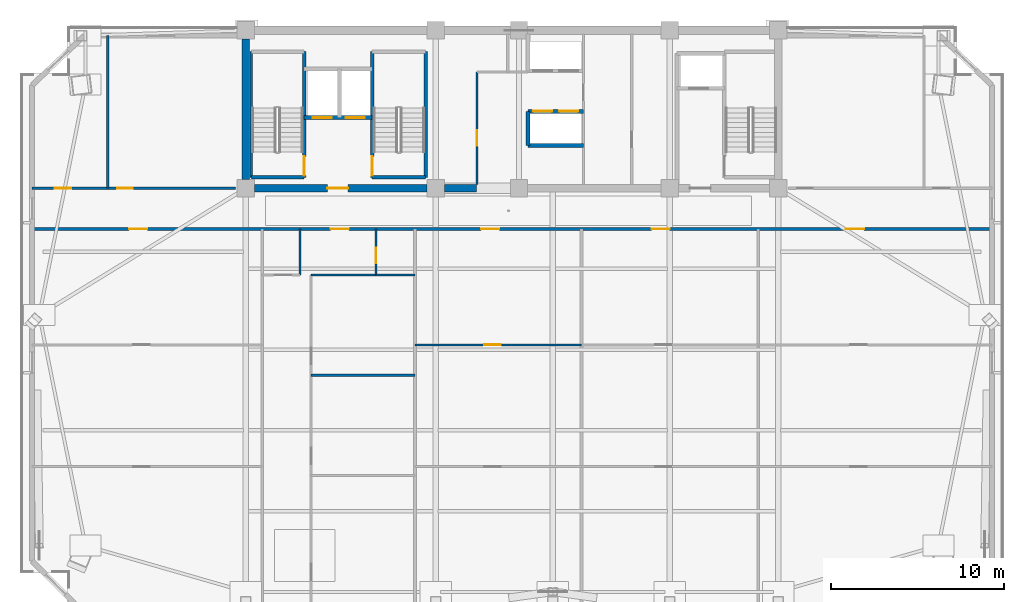
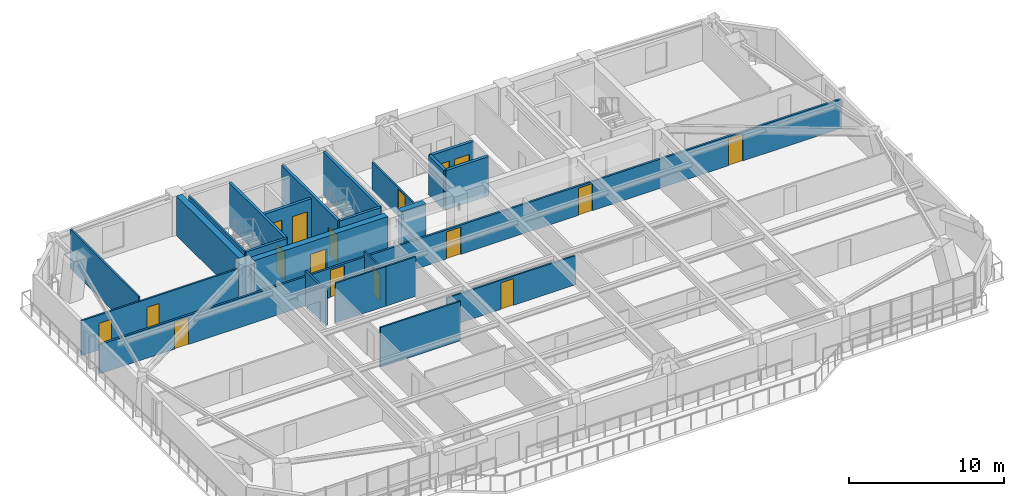
# One storey, part 9 of 16: 23 walls, 17 doors, 17 openings.
"""IFC4 building model written with IfcOpenShell, lengths in metres."""

import ifcopenshell
import ifcopenshell.guid

model = None  # the IFC model being written
_history = None  # IfcOwnerHistory: only IFC2X3 demands one
_inside = {}  # id of a spatial element -> (the spatial element, [elements in it])
_under = {}  # id of a project, library or spatial element -> (it, [spatial elements below it])
_declared = {}  # id of a project -> (the project, [libraries it declares])
_typed = {}  # id of a type object -> (the type object, [elements of that type])
_made_of = {}  # id of a material, layer set ... -> (it, [elements and type objects made of it])


def new_model(schema):
    """Start an empty IFC model of exactly this schema.

    Asked for "IFC4X3", IfcOpenShell would pick the latest addendum, in which some entities
    have other attributes; the version numbers below select the first issue.
    IFC2X3 requires an IfcOwnerHistory on every rooted entity: one is made here for all.
    """
    global model, _history
    if schema == "IFC4X3":
        model = ifcopenshell.file(schema_version=(4, 3, 0, 0))
    else:
        model = ifcopenshell.file(schema=schema)
    _inside.clear()
    _under.clear()
    _declared.clear()
    _typed.clear()
    _made_of.clear()
    _history = None
    if model.schema == "IFC2X3":
        org = make("IfcOrganization", Name="unknown")
        user = make(
            "IfcPersonAndOrganization",
            ThePerson=make("IfcPerson", FamilyName="unknown"),
            TheOrganization=org,
        )
        app = make(
            "IfcApplication",
            ApplicationDeveloper=org,
            Version="unknown",
            ApplicationFullName="unknown",
            ApplicationIdentifier="unknown",
        )
        _history = make(
            "IfcOwnerHistory",
            OwningUser=user,
            OwningApplication=app,
            ChangeAction="ADDED",
            CreationDate=0,
        )
    return model


def make(cls, **values):
    """One entity of the class cls with the attributes given. An attribute that is None is left unset."""
    return model.create_entity(
        cls, **{name: value for name, value in values.items() if value is not None}
    )


def rooted(cls, **values):
    """An entity with a GlobalId (a new one), such as an element, a storey or a relation."""
    return make(cls, GlobalId=ifcopenshell.guid.new(), OwnerHistory=_history, **values)


def si_unit(unit_type, name, prefix=None):
    """IfcSIUnit, for example si_unit("LENGTHUNIT", "METRE", prefix="MILLI")."""
    return make("IfcSIUnit", UnitType=unit_type, Prefix=prefix, Name=name)


def assignment(units):
    """IfcUnitAssignment: the units of a project."""
    return None if units is None else make("IfcUnitAssignment", Units=units)


def point(xyz):
    """IfcCartesianPoint."""
    return None if xyz is None else make("IfcCartesianPoint", Coordinates=xyz)


def direction(xyz):
    """IfcDirection."""
    return None if xyz is None else make("IfcDirection", DirectionRatios=xyz)


def frame(location, z_axis=None, x_axis=None):
    """IfcAxis2Placement3D, a coordinate frame: its origin and axes. An axis left out is left unset."""
    return make(
        "IfcAxis2Placement3D",
        Location=point(location),
        Axis=direction(z_axis),
        RefDirection=direction(x_axis),
    )


def frame_2d(location, x_axis=None):
    """IfcAxis2Placement2D, a coordinate frame in the plane: its origin and x axis."""
    return make(
        "IfcAxis2Placement2D", Location=point(location), RefDirection=direction(x_axis)
    )


def origin():
    """The frame at (0, 0, 0) with its axes left unset."""
    return frame((0.0, 0.0, 0.0))


def place(relative_to, where):
    """IfcLocalPlacement: puts the frame where relative to a parent placement (None: the world)."""
    return make(
        "IfcLocalPlacement", PlacementRelTo=relative_to, RelativePlacement=where
    )


def context(
    kind, dimensions, precision=None, world=None, true_north=None, identifier=None
):
    """IfcGeometricRepresentationContext, for example the 3D "Model" context."""
    return make(
        "IfcGeometricRepresentationContext",
        ContextIdentifier=identifier,
        ContextType=kind,
        CoordinateSpaceDimension=dimensions,
        Precision=precision,
        WorldCoordinateSystem=world,
        TrueNorth=true_north,
    )


def subcontext(parent, identifier, kind, view, scale=None):
    """IfcGeometricRepresentationSubContext, for example "Body" below "Model"."""
    return make(
        "IfcGeometricRepresentationSubContext",
        ContextIdentifier=identifier,
        ContextType=kind,
        ParentContext=parent,
        TargetScale=scale,
        TargetView=view,
    )


def project(units=None, contexts=None):
    """IfcProject with its units and contexts."""
    return rooted(
        "IfcProject",
        Name="project",
        RepresentationContexts=contexts,
        UnitsInContext=assignment(units),
    )


def spatial(cls, under=None, at=None, **own):
    """A site, building, storey or space (cls), placed at a placement, below another one or the project."""
    s = rooted(cls, ObjectPlacement=at, **own)
    if under is not None:
        _under.setdefault(under.id(), (under, []))[1].append(s)
    return s


def profile(cls, at=None, kind="AREA", **sizes):
    """A parametric profile (cls). Its sizes go by their IFC names, for example OverallWidth=200.0."""
    return make(cls, ProfileType=kind, Position=at, **sizes)


def rectangle(**sizes):
    """IfcRectangleProfileDef."""
    return profile("IfcRectangleProfileDef", **sizes)


def extrude(swept, where, along, depth):
    """IfcExtrudedAreaSolid: the profile swept, set in the frame where, extruded along a direction by depth."""
    return make(
        "IfcExtrudedAreaSolid",
        SweptArea=swept,
        Position=where,
        ExtrudedDirection=direction(along),
        Depth=depth,
    )


def shape(context_of_items, identifier, shape_type, items):
    """IfcShapeRepresentation: the items that make up one representation, for example the "Body"."""
    return make(
        "IfcShapeRepresentation",
        ContextOfItems=context_of_items,
        RepresentationIdentifier=identifier,
        RepresentationType=shape_type,
        Items=items,
    )


def source(mapping_origin, context_of_items, identifier, shape_type, items):
    """IfcRepresentationMap: a shape defined once, which mapped items show again and again."""
    return make(
        "IfcRepresentationMap",
        MappingOrigin=mapping_origin,
        MappedRepresentation=shape(context_of_items, identifier, shape_type, items),
    )


def transform(
    local_origin,
    x_axis=None,
    y_axis=None,
    z_axis=None,
    scale=None,
    scale2=None,
    scale3=None,
    uniform=True,
):
    """IfcCartesianTransformationOperator3D, or its non-uniform kind. x_axis, y_axis, z_axis: its Axis1, 2, 3."""
    if uniform:
        return make(
            "IfcCartesianTransformationOperator3D",
            Axis1=direction(x_axis),
            Axis2=direction(y_axis),
            LocalOrigin=point(local_origin),
            Scale=scale,
            Axis3=direction(z_axis),
        )
    return make(
        "IfcCartesianTransformationOperator3DnonUniform",
        Axis1=direction(x_axis),
        Axis2=direction(y_axis),
        LocalOrigin=point(local_origin),
        Scale=scale,
        Axis3=direction(z_axis),
        Scale2=scale2,
        Scale3=scale3,
    )


def mapped(mapping_source, mapping_target):
    """IfcMappedItem: shows the shape of a source again, moved by a transform."""
    return make(
        "IfcMappedItem", MappingSource=mapping_source, MappingTarget=mapping_target
    )


def material(Name=None, Category=None):
    """IfcMaterial."""
    return make("IfcMaterial", Name=Name, Category=Category)


def layer(
    of_material, thickness, ventilated=None, Name=None, Category=None, Priority=None
):
    """IfcMaterialLayer: one layer of a wall or slab, of a material (None: an air gap)."""
    return make(
        "IfcMaterialLayer",
        Material=of_material,
        LayerThickness=thickness,
        IsVentilated=ventilated,
        Name=Name,
        Category=Category,
        Priority=Priority,
    )


def layer_set(layers, Name=None):
    """IfcMaterialLayerSet."""
    return make("IfcMaterialLayerSet", MaterialLayers=layers, LayerSetName=Name)


def made_of(thing, what):
    """Note that an element or type object is made of a material, layer set ...; save() writes the relation."""
    if what is not None:
        _made_of.setdefault(what.id(), (what, []))[1].append(thing)
    return thing


def type_object(cls, material=None, **own):
    """A type object (cls), such as IfcWallType, which elements share."""
    return made_of(rooted(cls, **own), material)


def element(
    cls,
    number,
    at=None,
    inside=None,
    cuts=None,
    type_object=None,
    material=None,
    context=None,
    identifier="Body",
    shape_type=None,
    held_by="IfcProductDefinitionShape",
    body=None,
    shapes=None,
    **own,
):
    """One element of the class cls, such as IfcWall. Its Tag is "e" and its number.

    at: its placement. inside: the storey or other place that contains it. cuts: it is an
    opening in that element (IfcRelVoidsElement). A single representation is given by context,
    identifier, shape_type and body (its items); several are given by shapes. held_by: the class
    of the entity that holds the representations. save() writes the other relations.
    """
    e = rooted(cls, Tag="e%d" % number, ObjectPlacement=at, **own)
    if body is not None:
        shapes = [shape(context, identifier, shape_type, body)]
    if shapes is not None:
        e.Representation = make(held_by, Representations=shapes)
    if inside is not None:
        _inside.setdefault(inside.id(), (inside, []))[1].append(e)
    if cuts is not None:
        rooted(
            "IfcRelVoidsElement", RelatingBuildingElement=cuts, RelatedOpeningElement=e
        )
    if type_object is not None:
        _typed.setdefault(type_object.id(), (type_object, []))[1].append(e)
    return made_of(e, material)


def fill(opening, filler):
    """IfcRelFillsElement: the door or window that sits in an opening."""
    return rooted(
        "IfcRelFillsElement",
        RelatingOpeningElement=opening,
        RelatedBuildingElement=filler,
    )


def aggregate(whole, parts):
    """IfcRelAggregates: a whole, such as a stair, and the parts it consists of."""
    return rooted("IfcRelAggregates", RelatingObject=whole, RelatedObjects=parts)


def save(model, path):
    """Write the relations noted so far, then the file.

    IfcRelAggregates (storeys below a building ...), IfcRelContainedInSpatialStructure (elements
    in a storey), IfcRelDefinesByType, IfcRelAssociatesMaterial and IfcRelDeclares: one each for
    every whole, place, type object, material and project.
    """
    for whole, parts in _under.values():
        aggregate(whole, parts)
    for where, things in _inside.values():
        rooted(
            "IfcRelContainedInSpatialStructure",
            RelatedElements=things,
            RelatingStructure=where,
        )
    for kind, things in _typed.values():
        rooted("IfcRelDefinesByType", RelatedObjects=things, RelatingType=kind)
    for what, things in _made_of.values():
        rooted("IfcRelAssociatesMaterial", RelatedObjects=things, RelatingMaterial=what)
    for by, libraries in _declared.values():
        rooted("IfcRelDeclares", RelatingContext=by, RelatedDefinitions=libraries)
    model.write(path)


model = new_model("IFC4")

# Units and contexts
model_context = context("Model", 3, precision=1e-05, world=origin(), true_north=direction((0.0, 1.0)))
body_context = subcontext(model_context, "Body", "Model", "MODEL_VIEW")
ifc_project = project(units=[si_unit("LENGTHUNIT", "METRE"), si_unit("AREAUNIT", "SQUARE_METRE"), si_unit("VOLUMEUNIT", "CUBIC_METRE"), si_unit("PLANEANGLEUNIT", "RADIAN"), si_unit("MASSUNIT", "GRAM", prefix="KILO")], contexts=[model_context])

# Site, building, storey
site_placement = place(None, origin())
site = spatial("IfcSite", under=ifc_project, at=site_placement, CompositionType="ELEMENT")
building_placement = place(site_placement, origin())
building = spatial("IfcBuilding", under=site, at=building_placement, Name="Giltprow Tower", CompositionType="ELEMENT")
storey_placement = place(building_placement, frame((0.0, 0.0, 233.800048828125)))
storey = spatial("IfcBuildingStorey", under=building, at=storey_placement, Name="L59", CompositionType="ELEMENT", Elevation=233.800048828125)

# Wall, openings, doors
ifc_material_1 = material(Name="Gypsum stud partition", Category="gypsum")
ifc_layer_1 = layer(ifc_material_1, 0.14990234375, Name="Gypsum stud partition")
ifc_layer_set_1 = layer_set([ifc_layer_1], Name="Gypsum stud partition")
wall_type_1 = type_object("IfcWallType", Name="IW-CORR-150", PredefinedType="PARTITIONING", material=ifc_layer_set_1)
wall_1_placement = place(storey_placement, frame((7.532958984375, 35.10009765625, 0.0), z_axis=(0.0, 0.0, 1.0), x_axis=(1.0, 0.0, 0.0)))
wall_1 = element("IfcWall", 1, at=wall_1_placement, inside=storey, type_object=wall_type_1, Name="L59 Residence Gallery Corridor Wall", PredefinedType="PARTITIONING", context=body_context, shape_type="SweptSolid", body=[
    extrude(rectangle(XDim=55.333984375, YDim=0.14990234375, at=frame_2d((27.6669921875, 0.0))), origin(), (0.0, 0.0, 1.0), 2.304931640625),
])
opening_1_placement = place(wall_1_placement, frame((5.592041015625, 0.0, 0.0)))
opening_1 = element("IfcOpeningElement", 2, at=opening_1_placement, cuts=wall_1, Name="Opening ID31", PredefinedType="OPENING", context=body_context, shape_type="SweptSolid", body=[
    extrude(rectangle(XDim=1.050048828125, YDim=2.14990234375, at=frame_2d((0.52490234375, 1.074951171875))), frame((0.0, 0.0849609375, 0.0), z_axis=(0.0, -1.0, 0.0), x_axis=(1.0, 0.0, 0.0)), (0.0, 0.0, 1.0), 0.169921875),
])
opening_2_placement = place(wall_1_placement, frame((17.20703125, 0.0, 0.0)))
opening_2 = element("IfcOpeningElement", 3, at=opening_2_placement, cuts=wall_1, Name="Opening ID31", PredefinedType="OPENING", context=body_context, shape_type="SweptSolid", body=[
    extrude(rectangle(XDim=1.050048828125, YDim=2.14990234375, at=frame_2d((0.52490234375, 1.074951171875))), frame((0.0, 0.0849609375, 0.0), z_axis=(0.0, -1.0, 0.0), x_axis=(1.0, 0.0, 0.0)), (0.0, 0.0, 1.0), 0.169921875),
])
opening_3_placement = place(wall_1_placement, frame((25.884033203125, 0.0, 0.0)))
opening_3 = element("IfcOpeningElement", 4, at=opening_3_placement, cuts=wall_1, Name="Opening ID31", PredefinedType="OPENING", context=body_context, shape_type="SweptSolid", body=[
    extrude(rectangle(XDim=1.050048828125, YDim=2.14990234375, at=frame_2d((0.52490234375, 1.074951171875))), frame((0.0, 0.0849609375, 0.0), z_axis=(0.0, -1.0, 0.0), x_axis=(1.0, 0.0, 0.0)), (0.0, 0.0, 1.0), 0.169921875),
])
opening_4_placement = place(wall_1_placement, frame((35.7119140625, 0.0, 0.0)))
opening_4 = element("IfcOpeningElement", 5, at=opening_4_placement, cuts=wall_1, Name="Opening ID31", PredefinedType="OPENING", context=body_context, shape_type="SweptSolid", body=[
    extrude(rectangle(XDim=1.050048828125, YDim=2.14990234375, at=frame_2d((0.52490234375, 1.074951171875))), frame((0.0, 0.0849609375, 0.0), z_axis=(0.0, -1.0, 0.0), x_axis=(1.0, 0.0, 0.0)), (0.0, 0.0, 1.0), 0.169921875),
])
opening_5_placement = place(wall_1_placement, frame((46.919921875, 0.0, 0.0)))
opening_5 = element("IfcOpeningElement", 6, at=opening_5_placement, cuts=wall_1, Name="Opening ID31", PredefinedType="OPENING", context=body_context, shape_type="SweptSolid", body=[
    extrude(rectangle(XDim=1.050048828125, YDim=2.14990234375, at=frame_2d((0.52490234375, 1.074951171875))), frame((0.0, 0.0849609375, 0.0), z_axis=(0.0, -1.0, 0.0), x_axis=(1.0, 0.0, 0.0)), (0.0, 0.0, 1.0), 0.169921875),
])
ifc_material_2 = material(Name="Engineered timber", Category="wood")
door_type_1 = type_object("IfcDoorType", Name="DR-SUITE-1050", OperationType="SINGLE_SWING_LEFT", PredefinedType="DOOR", material=ifc_material_2)
shared_shape_1 = source(origin(), body_context, "Body", "SweptSolid", [
    extrude(rectangle(XDim=1.050048828125, YDim=2.14990234375, at=frame_2d((0.52490234375, 1.074951171875))), frame((0.0, 0.02490234375, 0.0), z_axis=(0.0, -1.0, 0.0), x_axis=(1.0, 0.0, 0.0)), (0.0, 0.0, 1.0), 0.050048828125),
])
door_1_placement = place(opening_1_placement, origin())
door_1 = element("IfcDoor", 7, at=door_1_placement, inside=storey, type_object=door_type_1, Name="L59 Harbour Lounge Salon North Door", OperationType="SINGLE_SWING_RIGHT", OverallHeight=2.14990234375, OverallWidth=1.050048828125, PredefinedType="DOOR", context=body_context, shape_type="MappedRepresentation", body=[
    mapped(shared_shape_1, transform((0.0, 0.0, 0.0), x_axis=(1.0, 0.0, 0.0), y_axis=(0.0, 1.0, 0.0), z_axis=(0.0, 0.0, 1.0), scale=1.0)),
])
fill(opening_1, door_1)
door_2_placement = place(opening_2_placement, origin())
door_2 = element("IfcDoor", 8, at=door_2_placement, inside=storey, type_object=door_type_1, Name="L59 Unit 1 Entrance Door", OperationType="SINGLE_SWING_LEFT", OverallHeight=2.14990234375, OverallWidth=1.050048828125, PredefinedType="DOOR", context=body_context, shape_type="MappedRepresentation", body=[
    mapped(shared_shape_1, transform((0.0, 0.0, 0.0), x_axis=(1.0, 0.0, 0.0), y_axis=(0.0, 1.0, 0.0), z_axis=(0.0, 0.0, 1.0), scale=1.0)),
])
fill(opening_2, door_2)
door_3_placement = place(opening_3_placement, origin())
door_3 = element("IfcDoor", 9, at=door_3_placement, inside=storey, type_object=door_type_1, Name="L59 Residents Sky Club Lounge North Door", OperationType="SINGLE_SWING_LEFT", OverallHeight=2.14990234375, OverallWidth=1.050048828125, PredefinedType="DOOR", context=body_context, shape_type="MappedRepresentation", body=[
    mapped(shared_shape_1, transform((0.0, 0.0, 0.0), x_axis=(1.0, 0.0, 0.0), y_axis=(0.0, 1.0, 0.0), z_axis=(0.0, 0.0, 1.0), scale=1.0)),
])
fill(opening_3, door_3)
door_4_placement = place(opening_4_placement, origin())
door_4 = element("IfcDoor", 10, at=door_4_placement, inside=storey, type_object=door_type_1, Name="L59 Residents Sky Club Lounge North Door", OperationType="SINGLE_SWING_RIGHT", OverallHeight=2.14990234375, OverallWidth=1.050048828125, PredefinedType="DOOR", context=body_context, shape_type="MappedRepresentation", body=[
    mapped(shared_shape_1, transform((0.0, 0.0, 0.0), x_axis=(1.0, 0.0, 0.0), y_axis=(0.0, 1.0, 0.0), z_axis=(0.0, 0.0, 1.0), scale=1.0)),
])
fill(opening_4, door_4)
door_5_placement = place(opening_5_placement, origin())
door_5 = element("IfcDoor", 11, at=door_5_placement, inside=storey, type_object=door_type_1, Name="L59 Sky Music Lounge North Door", OperationType="SINGLE_SWING_LEFT", OverallHeight=2.14990234375, OverallWidth=1.050048828125, PredefinedType="DOOR", context=body_context, shape_type="MappedRepresentation", body=[
    mapped(shared_shape_1, transform((0.0, 0.0, 0.0), x_axis=(1.0, 0.0, 0.0), y_axis=(0.0, 1.0, 0.0), z_axis=(0.0, 0.0, 1.0), scale=1.0)),
])
fill(opening_5, door_5)

# Walls
ifc_layer_2 = layer(ifc_material_1, 0.1201171875, Name="Gypsum stud partition")
ifc_layer_set_2 = layer_set([ifc_layer_2], Name="Gypsum stud partition")
wall_type_2 = type_object("IfcWallType", Name="IW-ROOM-120", PredefinedType="PARTITIONING", material=ifc_layer_set_2)
wall_2_placement = place(storey_placement, frame((23.6201171875, 32.449951171875, 0.0), z_axis=(0.0, 0.0, 1.0), x_axis=(1.0, 0.0, 0.0)))
element("IfcWall", 12, at=wall_2_placement, inside=storey, type_object=wall_type_2, Name="L59 Unit 1 Bedroom North Wall", PredefinedType="PARTITIONING", context=body_context, shape_type="SweptSolid", body=[
    extrude(rectangle(XDim=3.739990234375, YDim=0.1201171875, at=frame_2d((1.8701171875, 0.0))), origin(), (0.0, 0.0, 1.0), 3.119873046875),
])
wall_3_placement = place(storey_placement, frame((23.6201171875, 26.66796875, 0.0), z_axis=(0.0, 0.0, 1.0), x_axis=(1.0, 0.0, 0.0)))
element("IfcWall", 13, at=wall_3_placement, inside=storey, type_object=wall_type_2, Name="L59 Unit 1 Bedroom Split 2", PredefinedType="PARTITIONING", context=body_context, shape_type="SweptSolid", body=[
    extrude(rectangle(XDim=5.97998046875, YDim=0.1201171875, at=frame_2d((2.989990234375, 0.0))), origin(), (0.0, 0.0, 1.0), 3.119873046875),
])

# Wall, opening, door
wall_4_placement = place(storey_placement, frame((29.60009765625, 28.416015625, 0.0), z_axis=(0.0, 0.0, 1.0), x_axis=(1.0, 0.0, 0.0)))
wall_4 = element("IfcWall", 14, at=wall_4_placement, inside=storey, type_object=wall_type_2, Name="L59 Special Split 2", PredefinedType="PARTITIONING", context=body_context, shape_type="SweptSolid", body=[
    extrude(rectangle(XDim=9.599853515625, YDim=0.1201171875, at=frame_2d((4.7998046875, 0.0))), origin(), (0.0, 0.0, 1.0), 2.304931640625),
])
opening_6_placement = place(wall_4_placement, frame((4.006103515625, 0.0, 0.0)))
opening_6 = element("IfcOpeningElement", 15, at=opening_6_placement, cuts=wall_4, Name="Opening ID11", PredefinedType="OPENING", context=body_context, shape_type="SweptSolid", body=[
    extrude(rectangle(XDim=0.949951171875, YDim=2.10009765625, at=frame_2d((0.47509765625, 1.050048828125))), frame((0.0, 0.070068359375, 0.0), z_axis=(0.0, -1.0, 0.0), x_axis=(1.0, 0.0, 0.0)), (0.0, 0.0, 1.0), 0.14013671875),
])
door_type_2 = type_object("IfcDoorType", Name="DR-ROOM-950", OperationType="SINGLE_SWING_RIGHT", PredefinedType="DOOR", material=ifc_material_2)
shared_shape_2 = source(origin(), body_context, "Body", "SweptSolid", [
    extrude(rectangle(XDim=0.949951171875, YDim=2.10009765625, at=frame_2d((0.47509765625, 1.050048828125))), frame((0.0, 0.02490234375, 0.0), z_axis=(0.0, -1.0, 0.0), x_axis=(1.0, 0.0, 0.0)), (0.0, 0.0, 1.0), 0.050048828125),
])
door_6_placement = place(opening_6_placement, origin())
door_6 = element("IfcDoor", 16, at=door_6_placement, inside=storey, type_object=door_type_2, Name="L59 Residents Sky Club Lounge Mid Door", OperationType="SINGLE_SWING_RIGHT", OverallHeight=2.10009765625, OverallWidth=0.949951171875, PredefinedType="DOOR", context=body_context, shape_type="MappedRepresentation", body=[
    mapped(shared_shape_2, transform((0.0, 0.0, 0.0), x_axis=(1.0, 0.0, 0.0), y_axis=(0.0, 1.0, 0.0), z_axis=(0.0, 0.0, 1.0), scale=1.0)),
])
fill(opening_6, door_6)

# Wall, openings, doors
ifc_material_3 = material(Name="Concrete C40", Category="concrete")
ifc_layer_3 = layer(ifc_material_3, 0.219970703125, Name="Concrete C40")
ifc_layer_set_3 = layer_set([ifc_layer_3], Name="Concrete C40")
wall_type_3 = type_object("IfcWallType", Name="IW-SHAFT-220", PredefinedType="SOLIDWALL", material=ifc_layer_set_3)
wall_5_placement = place(storey_placement, frame((23.219970703125, 41.52001953125, 0.0), z_axis=(0.0, 0.0, 1.0), x_axis=(1.0, 0.0, 0.0)))
wall_5 = element("IfcWall", 17, at=wall_5_placement, inside=storey, type_object=wall_type_3, Name="L59 FFL1 and Service Lift Front Wall", PredefinedType="SOLIDWALL", context=body_context, shape_type="SweptSolid", body=[
    extrude(rectangle(XDim=3.919921875, YDim=0.219970703125, at=frame_2d((1.9599609375, 0.0))), origin(), (0.0, 0.0, 1.0), 3.119873046875),
])
opening_7_placement = place(wall_5_placement, frame((0.5, 0.0, 0.0)))
opening_7 = element("IfcOpeningElement", 18, at=opening_7_placement, cuts=wall_5, Name="Opening LD-11", PredefinedType="OPENING", context=body_context, shape_type="SweptSolid", body=[
    extrude(rectangle(XDim=1.10009765625, YDim=2.199951171875, at=frame_2d((0.550048828125, 1.10009765625))), frame((0.0, 0.119873046875, 0.0), z_axis=(0.0, -1.0, 0.0), x_axis=(1.0, 0.0, 0.0)), (0.0, 0.0, 1.0), 0.239990234375),
])
opening_8_placement = place(wall_5_placement, frame((2.39990234375, 0.0, 0.0)))
opening_8 = element("IfcOpeningElement", 19, at=opening_8_placement, cuts=wall_5, Name="Opening LD-11", PredefinedType="OPENING", context=body_context, shape_type="SweptSolid", body=[
    extrude(rectangle(XDim=1.10009765625, YDim=2.199951171875, at=frame_2d((0.550048828125, 1.10009765625))), frame((0.0, 0.119873046875, 0.0), z_axis=(0.0, -1.0, 0.0), x_axis=(1.0, 0.0, 0.0)), (0.0, 0.0, 1.0), 0.239990234375),
])
ifc_material_4 = material(Name="Stainless steel", Category="steel")
door_type_3 = type_object("IfcDoorType", Name="DR-LIFT-LD1100", OperationType="SLIDING_TO_LEFT", PredefinedType="DOOR", material=ifc_material_4)
shared_shape_3 = source(origin(), body_context, "Body", "SweptSolid", [
    extrude(rectangle(XDim=1.10009765625, YDim=2.199951171875, at=frame_2d((0.550048828125, 1.10009765625))), frame((0.0, 0.02490234375, 0.0), z_axis=(0.0, -1.0, 0.0), x_axis=(1.0, 0.0, 0.0)), (0.0, 0.0, 1.0), 0.050048828125),
])
door_7_placement = place(opening_7_placement, origin())
door_7 = element("IfcDoor", 20, at=door_7_placement, inside=storey, type_object=door_type_3, Name="L59 FFL1 Landing Door", OperationType="SLIDING_TO_LEFT", OverallHeight=2.199951171875, OverallWidth=1.10009765625, PredefinedType="DOOR", context=body_context, shape_type="MappedRepresentation", body=[
    mapped(shared_shape_3, transform((0.0, 0.0, 0.0), x_axis=(1.0, 0.0, 0.0), y_axis=(0.0, 1.0, 0.0), z_axis=(0.0, 0.0, 1.0), scale=1.0)),
])
fill(opening_7, door_7)
door_8_placement = place(opening_8_placement, origin())
door_8 = element("IfcDoor", 21, at=door_8_placement, inside=storey, type_object=door_type_3, Name="L59 SVL1 Landing Door", OperationType="SLIDING_TO_LEFT", OverallHeight=2.199951171875, OverallWidth=1.10009765625, PredefinedType="DOOR", context=body_context, shape_type="MappedRepresentation", body=[
    mapped(shared_shape_3, transform((0.0, 0.0, 0.0), x_axis=(1.0, 0.0, 0.0), y_axis=(0.0, 1.0, 0.0), z_axis=(0.0, 0.0, 1.0), scale=1.0)),
])
fill(opening_8, door_8)

wall_6_placement = place(storey_placement, frame((36.1201171875, 41.8798828125, 0.0), z_axis=(0.0, 0.0, 1.0), x_axis=(1.0, 0.0, 0.0)))
wall_6 = element("IfcWall", 22, at=wall_6_placement, inside=storey, type_object=wall_type_3, Name="L59 High-Rise Lift Shaft Front Wall S", PredefinedType="SOLIDWALL", context=body_context, shape_type="SweptSolid", body=[
    extrude(rectangle(XDim=3.199951171875, YDim=0.219970703125, at=frame_2d((1.60009765625, 0.0))), origin(), (0.0, 0.0, 1.0), 3.119873046875),
])
opening_9_placement = place(wall_6_placement, frame((0.300048828125, 0.0, 0.0)))
opening_9 = element("IfcOpeningElement", 23, at=opening_9_placement, cuts=wall_6, Name="Opening LD-11", PredefinedType="OPENING", context=body_context, shape_type="SweptSolid", body=[
    extrude(rectangle(XDim=1.10009765625, YDim=2.199951171875, at=frame_2d((0.550048828125, 1.10009765625))), frame((0.0, 0.119873046875, 0.0), z_axis=(0.0, -1.0, 0.0), x_axis=(1.0, 0.0, 0.0)), (0.0, 0.0, 1.0), 0.239990234375),
])
opening_10_placement = place(wall_6_placement, frame((1.7900390625, 0.0, 0.0)))
opening_10 = element("IfcOpeningElement", 24, at=opening_10_placement, cuts=wall_6, Name="Opening LD-11", PredefinedType="OPENING", context=body_context, shape_type="SweptSolid", body=[
    extrude(rectangle(XDim=1.10009765625, YDim=2.199951171875, at=frame_2d((0.550048828125, 1.10009765625))), frame((0.0, 0.119873046875, 0.0), z_axis=(0.0, -1.0, 0.0), x_axis=(1.0, 0.0, 0.0)), (0.0, 0.0, 1.0), 0.239990234375),
])
door_9_placement = place(opening_9_placement, origin())
door_9 = element("IfcDoor", 25, at=door_9_placement, inside=storey, type_object=door_type_3, Name="L59 PL-H3 Landing Door", OperationType="SLIDING_TO_LEFT", OverallHeight=2.199951171875, OverallWidth=1.10009765625, PredefinedType="DOOR", context=body_context, shape_type="MappedRepresentation", body=[
    mapped(shared_shape_3, transform((0.0, 0.0, 0.0), x_axis=(1.0, 0.0, 0.0), y_axis=(0.0, 1.0, 0.0), z_axis=(0.0, 0.0, 1.0), scale=1.0)),
])
fill(opening_9, door_9)
door_10_placement = place(opening_10_placement, origin())
door_10 = element("IfcDoor", 26, at=door_10_placement, inside=storey, type_object=door_type_3, Name="L59 PL-H4 Landing Door", OperationType="SLIDING_TO_LEFT", OverallHeight=2.199951171875, OverallWidth=1.10009765625, PredefinedType="DOOR", context=body_context, shape_type="MappedRepresentation", body=[
    mapped(shared_shape_3, transform((0.0, 0.0, 0.0), x_axis=(1.0, 0.0, 0.0), y_axis=(0.0, 1.0, 0.0), z_axis=(0.0, 0.0, 1.0), scale=1.0)),
])
fill(opening_10, door_10)

# Walls
wall_7_placement = place(storey_placement, frame((36.1201171875, 39.919921875, 0.0), z_axis=(0.0, 0.0, 1.0), x_axis=(1.0, 0.0, 0.0)))
element("IfcWall", 27, at=wall_7_placement, inside=storey, type_object=wall_type_3, Name="L59 High-Rise South Lift Back Wall", PredefinedType="SOLIDWALL", context=body_context, shape_type="SweptSolid", body=[
    extrude(rectangle(XDim=3.199951171875, YDim=0.219970703125, at=frame_2d((1.60009765625, 0.0))), origin(), (0.0, 0.0, 1.0), 3.119873046875),
])
wall_8_placement = place(storey_placement, frame((36.1201171875, 39.919921875, 0.0), z_axis=(0.0, 0.0, 1.0), x_axis=(0.0, 1.0, 0.0)))
element("IfcWall", 28, at=wall_8_placement, inside=storey, type_object=wall_type_3, Name="L59 High-Rise South Lift West Closure", PredefinedType="SOLIDWALL", context=body_context, shape_type="SweptSolid", body=[
    extrude(rectangle(XDim=1.9599609375, YDim=0.219970703125, at=frame_2d((0.97998046875, 0.0))), origin(), (0.0, 0.0, 1.0), 3.119873046875),
])
ifc_material_5 = material(Name="Concrete C45", Category="concrete")
ifc_layer_4 = layer(ifc_material_5, 0.139892578125, Name="Concrete C45")
ifc_layer_set_4 = layer_set([ifc_layer_4], Name="Concrete C45")
wall_type_4 = type_object("IfcWallType", Name="IW-STAIR-140", PredefinedType="SOLIDWALL", material=ifc_layer_set_4)
wall_9_placement = place(storey_placement, frame((20.169921875, 38.070068359375, 0.0), z_axis=(0.0, 0.0, 1.0), x_axis=(0.0, 1.0, 0.0)))
element("IfcWall", 29, at=wall_9_placement, inside=storey, type_object=wall_type_4, Name="L59 Stair ST-1 West Bearing Wall", PredefinedType="SOLIDWALL", context=body_context, shape_type="SweptSolid", body=[
    extrude(rectangle(XDim=7.25, YDim=0.139892578125, at=frame_2d((3.625, 0.0))), origin(), (0.0, 0.0, 1.0), 3.39990234375),
])

# Wall, opening, door
ifc_layer_5 = layer(ifc_material_3, 0.199951171875, Name="Concrete C40")
ifc_layer_set_5 = layer_set([ifc_layer_5], Name="Concrete C40")
wall_type_5 = type_object("IfcWallType", Name="IW-STAIR-200", PredefinedType="SOLIDWALL", material=ifc_layer_set_5)
wall_10_placement = place(storey_placement, frame((23.219970703125, 38.070068359375, 0.0), z_axis=(0.0, 0.0, 1.0), x_axis=(0.0, 1.0, 0.0)))
wall_10 = element("IfcWall", 30, at=wall_10_placement, inside=storey, type_object=wall_type_5, Name="L59 Stair ST-1 East Bearing Wall", PredefinedType="SOLIDWALL", context=body_context, shape_type="SweptSolid", body=[
    extrude(rectangle(XDim=7.25, YDim=0.199951171875, at=frame_2d((3.625, 0.0))), origin(), (0.0, 0.0, 1.0), 3.39990234375),
])
opening_11_placement = place(wall_10_placement, frame((0.110107421875, 0.0, 0.0)))
opening_11 = element("IfcOpeningElement", 31, at=opening_11_placement, cuts=wall_10, Name="Opening ID33", PredefinedType="OPENING", context=body_context, shape_type="SweptSolid", body=[
    extrude(rectangle(XDim=1.10009765625, YDim=2.14990234375, at=frame_2d((0.550048828125, 1.074951171875))), frame((0.0, 0.10986328125, 0.0), z_axis=(0.0, -1.0, 0.0), x_axis=(1.0, 0.0, 0.0)), (0.0, 0.0, 1.0), 0.219970703125),
])
ifc_material_6 = material(Name="Steel fire leaf", Category="steel")
door_type_4 = type_object("IfcDoorType", Name="DR-STAIR-1100", OperationType="SINGLE_SWING_LEFT", PredefinedType="DOOR", material=ifc_material_6)
shared_shape_4 = source(origin(), body_context, "Body", "SweptSolid", [
    extrude(rectangle(XDim=1.10009765625, YDim=2.14990234375, at=frame_2d((0.550048828125, 1.074951171875))), frame((0.0, 0.02490234375, 0.0), z_axis=(0.0, -1.0, 0.0), x_axis=(1.0, 0.0, 0.0)), (0.0, 0.0, 1.0), 0.050048828125),
])
door_11_placement = place(opening_11_placement, origin())
door_11 = element("IfcDoor", 32, at=door_11_placement, inside=storey, type_object=door_type_4, Name="L59 Stair ST-1 Fire Door", OperationType="SINGLE_SWING_RIGHT", OverallHeight=2.14990234375, OverallWidth=1.10009765625, PredefinedType="DOOR", context=body_context, shape_type="MappedRepresentation", body=[
    mapped(shared_shape_4, transform((0.0, 0.0, 0.0), x_axis=(1.0, 0.0, 0.0), y_axis=(0.0, 1.0, 0.0), z_axis=(0.0, 0.0, 1.0), scale=1.0)),
])
fill(opening_11, door_11)

# Wall
wall_11_placement = place(storey_placement, frame((20.169921875, 38.070068359375, 0.0), z_axis=(0.0, 0.0, 1.0), x_axis=(1.0, 0.0, 0.0)))
element("IfcWall", 33, at=wall_11_placement, inside=storey, type_object=wall_type_5, Name="L59 Stair ST-1 South Bearing Wall", PredefinedType="SOLIDWALL", context=body_context, shape_type="SweptSolid", body=[
    extrude(rectangle(XDim=3.050048828125, YDim=0.199951171875, at=frame_2d((1.52490234375, 0.0))), origin(), (0.0, 0.0, 1.0), 3.39990234375),
])

# Wall, opening, door
wall_12_placement = place(storey_placement, frame((27.139892578125, 38.070068359375, 0.0), z_axis=(0.0, 0.0, 1.0), x_axis=(0.0, 1.0, 0.0)))
wall_12 = element("IfcWall", 34, at=wall_12_placement, inside=storey, type_object=wall_type_5, Name="L59 Stair ST-2 West Bearing Wall", PredefinedType="SOLIDWALL", context=body_context, shape_type="SweptSolid", body=[
    extrude(rectangle(XDim=7.25, YDim=0.199951171875, at=frame_2d((3.625, 0.0))), origin(), (0.0, 0.0, 1.0), 3.39990234375),
])
opening_12_placement = place(wall_12_placement, frame((0.110107421875, 0.0, 0.0)))
opening_12 = element("IfcOpeningElement", 35, at=opening_12_placement, cuts=wall_12, Name="Opening ID33", PredefinedType="OPENING", context=body_context, shape_type="SweptSolid", body=[
    extrude(rectangle(XDim=1.10009765625, YDim=2.14990234375, at=frame_2d((0.550048828125, 1.074951171875))), frame((0.0, 0.10986328125, 0.0), z_axis=(0.0, -1.0, 0.0), x_axis=(1.0, 0.0, 0.0)), (0.0, 0.0, 1.0), 0.219970703125),
])
door_12_placement = place(opening_12_placement, origin())
door_12 = element("IfcDoor", 36, at=door_12_placement, inside=storey, type_object=door_type_4, Name="L59 Stair ST-2 Fire Door", OperationType="SINGLE_SWING_LEFT", OverallHeight=2.14990234375, OverallWidth=1.10009765625, PredefinedType="DOOR", context=body_context, shape_type="MappedRepresentation", body=[
    mapped(shared_shape_4, transform((0.0, 0.0, 0.0), x_axis=(1.0, 0.0, 0.0), y_axis=(0.0, 1.0, 0.0), z_axis=(0.0, 0.0, 1.0), scale=1.0)),
])
fill(opening_12, door_12)

# Walls
wall_13_placement = place(storey_placement, frame((30.219970703125, 38.070068359375, 0.0), z_axis=(0.0, 0.0, 1.0), x_axis=(0.0, 1.0, 0.0)))
element("IfcWall", 37, at=wall_13_placement, inside=storey, type_object=wall_type_5, Name="L59 Stair ST-2 East Bearing Wall", PredefinedType="SOLIDWALL", context=body_context, shape_type="SweptSolid", body=[
    extrude(rectangle(XDim=7.25, YDim=0.199951171875, at=frame_2d((3.625, 0.0))), origin(), (0.0, 0.0, 1.0), 3.39990234375),
])
wall_14_placement = place(storey_placement, frame((27.139892578125, 38.070068359375, 0.0), z_axis=(0.0, 0.0, 1.0), x_axis=(1.0, 0.0, 0.0)))
element("IfcWall", 38, at=wall_14_placement, inside=storey, type_object=wall_type_5, Name="L59 Stair ST-2 South Bearing Wall", PredefinedType="SOLIDWALL", context=body_context, shape_type="SweptSolid", body=[
    extrude(rectangle(XDim=3.080078125, YDim=0.199951171875, at=frame_2d((1.5400390625, 0.0))), origin(), (0.0, 0.0, 1.0), 3.39990234375),
])

# Wall, opening, door
ifc_material_7 = material(Name="Concrete C30", Category="concrete")
ifc_layer_6 = layer(ifc_material_7, 0.1298828125, Name="Concrete C30")
ifc_layer_set_6 = layer_set([ifc_layer_6], Name="Concrete C30")
wall_type_6 = type_object("IfcWallType", Name="IW-WET-130", PredefinedType="PARTITIONING", material=ifc_layer_set_6)
wall_15_placement = place(storey_placement, frame((33.179931640625, 37.655029296875, 0.0), z_axis=(0.0, 0.0, 1.0), x_axis=(0.0, 1.0, 0.0)))
wall_15 = element("IfcWall", 39, at=wall_15_placement, inside=storey, type_object=wall_type_6, Name="L59 Reclaimed West Core Wall", PredefinedType="PARTITIONING", context=body_context, shape_type="SweptSolid", body=[
    extrude(rectangle(XDim=6.494873046875, YDim=0.1298828125, at=frame_2d((3.24755859375, 0.0))), origin(), (0.0, 0.0, 1.0), 2.219970703125),
])
opening_13_placement = place(wall_15_placement, frame((2.2451171875, 0.0, 0.0)))
opening_13 = element("IfcOpeningElement", 40, at=opening_13_placement, cuts=wall_15, Name="Opening ID35", PredefinedType="OPENING", context=body_context, shape_type="SweptSolid", body=[
    extrude(rectangle(XDim=0.89990234375, YDim=2.10009765625, at=frame_2d((0.449951171875, 1.050048828125))), frame((0.0, 0.074951171875, 0.0), z_axis=(0.0, -1.0, 0.0), x_axis=(1.0, 0.0, 0.0)), (0.0, 0.0, 1.0), 0.14990234375),
])
door_type_5 = type_object("IfcDoorType", Name="DR-SHAFT-900", OperationType="SINGLE_SWING_LEFT", PredefinedType="DOOR", material=ifc_material_6)
shared_shape_5 = source(origin(), body_context, "Body", "SweptSolid", [
    extrude(rectangle(XDim=0.89990234375, YDim=2.10009765625, at=frame_2d((0.449951171875, 1.050048828125))), frame((0.0, 0.02490234375, 0.0), z_axis=(0.0, -1.0, 0.0), x_axis=(1.0, 0.0, 0.0)), (0.0, 0.0, 1.0), 0.050048828125),
])
door_13_placement = place(opening_13_placement, origin())
door_13 = element("IfcDoor", 41, at=door_13_placement, inside=storey, type_object=door_type_5, Name="L59 Core Staff Washroom Door", OperationType="SINGLE_SWING_LEFT", OverallHeight=2.10009765625, OverallWidth=0.89990234375, PredefinedType="DOOR", context=body_context, shape_type="MappedRepresentation", body=[
    mapped(shared_shape_5, transform((0.0, 0.0, 0.0), x_axis=(1.0, 0.0, 0.0), y_axis=(0.0, 1.0, 0.0), z_axis=(0.0, 0.0, 1.0), scale=1.0)),
])
fill(opening_13, door_13)

# Walls
wall_16_placement = place(storey_placement, frame((22.969970703125, 32.449951171875, 0.0), z_axis=(0.0, 0.0, 1.0), x_axis=(0.0, 1.0, 0.0)))
element("IfcWall", 42, at=wall_16_placement, inside=storey, type_object=wall_type_6, Name="L59 Unit 1 Kitchen East Wall", PredefinedType="PARTITIONING", context=body_context, shape_type="SweptSolid", body=[
    extrude(rectangle(XDim=2.650146484375, YDim=0.1298828125, at=frame_2d((1.3251953125, 0.0))), origin(), (0.0, 0.0, 1.0), 2.704833984375),
])
wall_17_placement = place(storey_placement, frame((27.360107421875, 32.449951171875, 0.0), z_axis=(0.0, 0.0, 1.0), x_axis=(1.0, 0.0, 0.0)))
element("IfcWall", 43, at=wall_17_placement, inside=storey, type_object=wall_type_6, Name="L59 Unit 1 Bathroom South Wall", PredefinedType="PARTITIONING", context=body_context, shape_type="SweptSolid", body=[
    extrude(rectangle(XDim=2.239990234375, YDim=0.1298828125, at=frame_2d((1.1201171875, 0.0))), origin(), (0.0, 0.0, 1.0), 3.119873046875),
])

# Wall, opening, door
wall_18_placement = place(storey_placement, frame((27.360107421875, 32.449951171875, 0.0), z_axis=(0.0, 0.0, 1.0), x_axis=(0.0, 1.0, 0.0)))
wall_18 = element("IfcWall", 44, at=wall_18_placement, inside=storey, type_object=wall_type_6, Name="L59 Unit 1 Bathroom West Wall", PredefinedType="PARTITIONING", context=body_context, shape_type="SweptSolid", body=[
    extrude(rectangle(XDim=2.650146484375, YDim=0.1298828125, at=frame_2d((1.3251953125, 0.0))), origin(), (0.0, 0.0, 1.0), 2.704833984375),
])
opening_14_placement = place(wall_18_placement, frame((0.669921875, 0.0, 0.0)))
opening_14 = element("IfcOpeningElement", 45, at=opening_14_placement, cuts=wall_18, Name="Opening ID15", PredefinedType="OPENING", context=body_context, shape_type="SweptSolid", body=[
    extrude(rectangle(XDim=0.89990234375, YDim=2.10009765625, at=frame_2d((0.449951171875, 1.050048828125))), frame((0.0, 0.074951171875, 0.0), z_axis=(0.0, -1.0, 0.0), x_axis=(1.0, 0.0, 0.0)), (0.0, 0.0, 1.0), 0.14990234375),
])
door_type_6 = type_object("IfcDoorType", Name="DR-WC-900", OperationType="SINGLE_SWING_LEFT", PredefinedType="DOOR", material=ifc_material_2)
door_14_placement = place(opening_14_placement, origin())
door_14 = element("IfcDoor", 46, at=door_14_placement, inside=storey, type_object=door_type_6, Name="L59 Unit 1 Bathroom Door", OperationType="SINGLE_SWING_LEFT", OverallHeight=2.10009765625, OverallWidth=0.89990234375, PredefinedType="DOOR", context=body_context, shape_type="MappedRepresentation", body=[
    mapped(shared_shape_5, transform((0.0, 0.0, 0.0), x_axis=(1.0, 0.0, 0.0), y_axis=(0.0, 1.0, 0.0), z_axis=(0.0, 0.0, 1.0), scale=1.0)),
])
fill(opening_14, door_14)

# Wall, openings, doors
wall_19_placement = place(storey_placement, frame((7.532958984375, 37.449951171875, 0.0), z_axis=(0.0, 0.0, 1.0), x_axis=(1.0, 0.0, 0.0)))
wall_19 = element("IfcWall", 47, at=wall_19_placement, inside=storey, type_object=wall_type_6, Name="L59 NW Wing South Wall", PredefinedType="PARTITIONING", context=body_context, shape_type="SweptSolid", body=[
    extrude(rectangle(XDim=11.717041015625, YDim=0.1298828125, at=frame_2d((5.8583984375, 0.0))), origin(), (0.0, 0.0, 1.0), 2.7548828125),
])
opening_15_placement = place(wall_19_placement, frame((1.31494140625, 0.0, 0.0)))
opening_15 = element("IfcOpeningElement", 48, at=opening_15_placement, cuts=wall_19, Name="Opening ID11", PredefinedType="OPENING", context=body_context, shape_type="SweptSolid", body=[
    extrude(rectangle(XDim=0.949951171875, YDim=2.10009765625, at=frame_2d((0.47509765625, 1.050048828125))), frame((0.0, 0.074951171875, 0.0), z_axis=(0.0, -1.0, 0.0), x_axis=(1.0, 0.0, 0.0)), (0.0, 0.0, 1.0), 0.14990234375),
])
opening_16_placement = place(wall_19_placement, frame((4.906005859375, 0.0, 0.0)))
opening_16 = element("IfcOpeningElement", 49, at=opening_16_placement, cuts=wall_19, Name="Opening ID15", PredefinedType="OPENING", context=body_context, shape_type="SweptSolid", body=[
    extrude(rectangle(XDim=0.89990234375, YDim=2.10009765625, at=frame_2d((0.449951171875, 1.050048828125))), frame((0.0, 0.074951171875, 0.0), z_axis=(0.0, -1.0, 0.0), x_axis=(1.0, 0.0, 0.0)), (0.0, 0.0, 1.0), 0.14990234375),
])
door_15_placement = place(opening_16_placement, origin())
door_15 = element("IfcDoor", 50, at=door_15_placement, inside=storey, type_object=door_type_6, Name="L59 NW Washroom Door", OperationType="SINGLE_SWING_LEFT", OverallHeight=2.10009765625, OverallWidth=0.89990234375, PredefinedType="DOOR", context=body_context, shape_type="MappedRepresentation", body=[
    mapped(shared_shape_5, transform((0.0, 0.0, 0.0), x_axis=(1.0, 0.0, 0.0), y_axis=(0.0, 1.0, 0.0), z_axis=(0.0, 0.0, 1.0), scale=1.0)),
])
fill(opening_16, door_15)
door_16_placement = place(opening_15_placement, origin())
door_16 = element("IfcDoor", 51, at=door_16_placement, inside=storey, type_object=door_type_2, Name="L59 Residents Study Office West Door", OperationType="SINGLE_SWING_RIGHT", OverallHeight=2.10009765625, OverallWidth=0.949951171875, PredefinedType="DOOR", context=body_context, shape_type="MappedRepresentation", body=[
    mapped(shared_shape_2, transform((0.0, 0.0, 0.0), x_axis=(1.0, 0.0, 0.0), y_axis=(0.0, 1.0, 0.0), z_axis=(0.0, 0.0, 1.0), scale=1.0)),
])
fill(opening_15, door_16)

# Wall
wall_20_placement = place(storey_placement, frame((11.888916015625, 37.449951171875, 0.0), z_axis=(0.0, 0.0, 1.0), x_axis=(0.0, 1.0, 0.0)))
element("IfcWall", 52, at=wall_20_placement, inside=storey, type_object=wall_type_6, Name="L59 NW Wing Divider", PredefinedType="PARTITIONING", context=body_context, shape_type="SweptSolid", body=[
    extrude(rectangle(XDim=8.800048828125, YDim=0.1298828125, at=frame_2d((4.39990234375, 0.0))), origin(), (0.0, 0.0, 1.0), 3.119873046875),
])

# Wall, opening, door
ifc_material_8 = material(Name="Concrete C50", Category="concrete")
ifc_layer_7 = layer(ifc_material_8, 0.449951171875, Name="Concrete C50")
ifc_layer_set_7 = layer_set([ifc_layer_7], Name="Concrete C50")
wall_type_7 = type_object("IfcWallType", Name="SW-INT-450-C50", PredefinedType="SHEAR", material=ifc_layer_set_7)
wall_21_placement = place(storey_placement, frame((20.35009765625, 37.449951171875, 0.0), z_axis=(0.0, 0.0, 1.0), x_axis=(1.0, 0.0, 0.0)))
wall_21 = element("IfcWall", 53, at=wall_21_placement, inside=storey, type_object=wall_type_7, Name="L59 South Rear Core Shear Wall West", PredefinedType="SHEAR", context=body_context, shape_type="SweptSolid", body=[
    extrude(rectangle(XDim=9.949951171875, YDim=0.449951171875, at=frame_2d((4.97509765625, 0.0))), origin(), (0.0, 0.0, 1.0), 3.119873046875),
])
opening_17_placement = place(wall_21_placement, frame((4.199951171875, 0.0, 0.0)))
opening_17 = element("IfcOpeningElement", 54, at=opening_17_placement, cuts=wall_21, Name="Opening ID19", PredefinedType="OPENING", context=body_context, shape_type="SweptSolid", body=[
    extrude(rectangle(XDim=1.199951171875, YDim=2.14990234375, at=frame_2d((0.60009765625, 1.074951171875))), frame((0.0, 0.23486328125, 0.0), z_axis=(0.0, -1.0, 0.0), x_axis=(1.0, 0.0, 0.0)), (0.0, 0.0, 1.0), 0.469970703125),
])
door_type_7 = type_object("IfcDoorType", Name="DR-FFLOBBY-1200", OperationType="SINGLE_SWING_RIGHT", PredefinedType="DOOR", material=ifc_material_6)
shared_shape_6 = source(origin(), body_context, "Body", "SweptSolid", [
    extrude(rectangle(XDim=1.199951171875, YDim=2.14990234375, at=frame_2d((0.60009765625, 1.074951171875))), frame((0.0, 0.02490234375, 0.0), z_axis=(0.0, -1.0, 0.0), x_axis=(1.0, 0.0, 0.0)), (0.0, 0.0, 1.0), 0.050048828125),
])
door_17_placement = place(opening_17_placement, origin())
door_17 = element("IfcDoor", 55, at=door_17_placement, inside=storey, type_object=door_type_7, Name="L59 West Firefighting Lobby Entry Door", OperationType="SINGLE_SWING_LEFT", OverallHeight=2.14990234375, OverallWidth=1.199951171875, PredefinedType="DOOR", context=body_context, shape_type="MappedRepresentation", body=[
    mapped(shared_shape_6, transform((0.0, 0.0, 0.0), x_axis=(1.0, 0.0, 0.0), y_axis=(0.0, 1.0, 0.0), z_axis=(0.0, 0.0, 1.0), scale=1.0)),
])
fill(opening_17, door_17)

# Walls
wall_22_placement = place(storey_placement, frame((31.300048828125, 37.449951171875, 0.0), z_axis=(0.0, 0.0, 1.0), x_axis=(1.0, 0.0, 0.0)))
element("IfcWall", 56, at=wall_22_placement, inside=storey, type_object=wall_type_7, Name="L59 South Rear Core Shear Wall Mid-West", PredefinedType="SHEAR", context=body_context, shape_type="SweptSolid", body=[
    extrude(rectangle(XDim=1.849853515625, YDim=0.449951171875, at=frame_2d((0.9248046875, 0.0))), origin(), (0.0, 0.0, 1.0), 3.119873046875),
])
wall_23_placement = place(storey_placement, frame((19.85009765625, 37.949951171875, 0.0), z_axis=(0.0, 0.0, 1.0), x_axis=(0.0, 1.0, 0.0)))
element("IfcWall", 57, at=wall_23_placement, inside=storey, type_object=wall_type_7, Name="L59 W Rear Core Shear Wall", PredefinedType="SHEAR", context=body_context, shape_type="SweptSolid", body=[
    extrude(rectangle(XDim=8.10009765625, YDim=0.449951171875, at=frame_2d((4.050048828125, 0.0))), origin(), (0.0, 0.0, 1.0), 3.119873046875),
])

save(model, "model.ifc")
